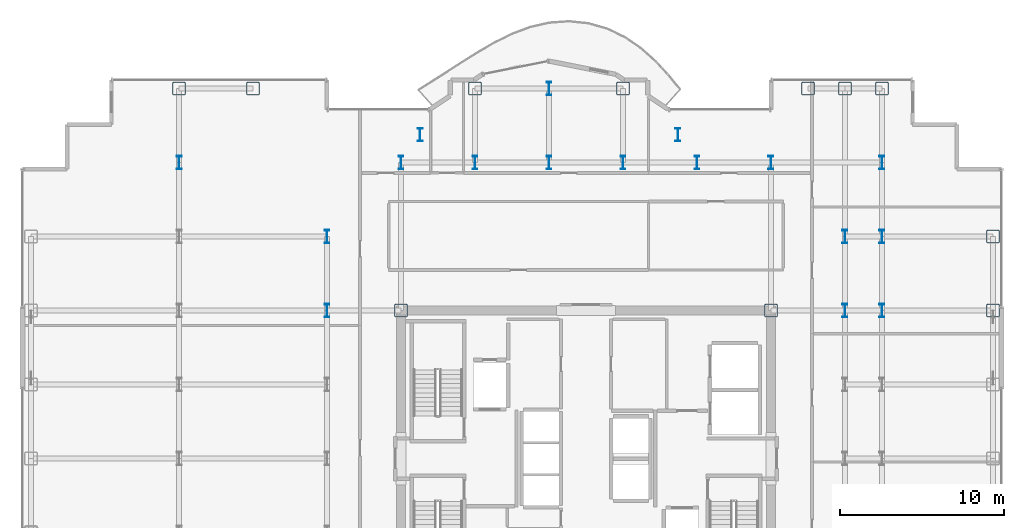
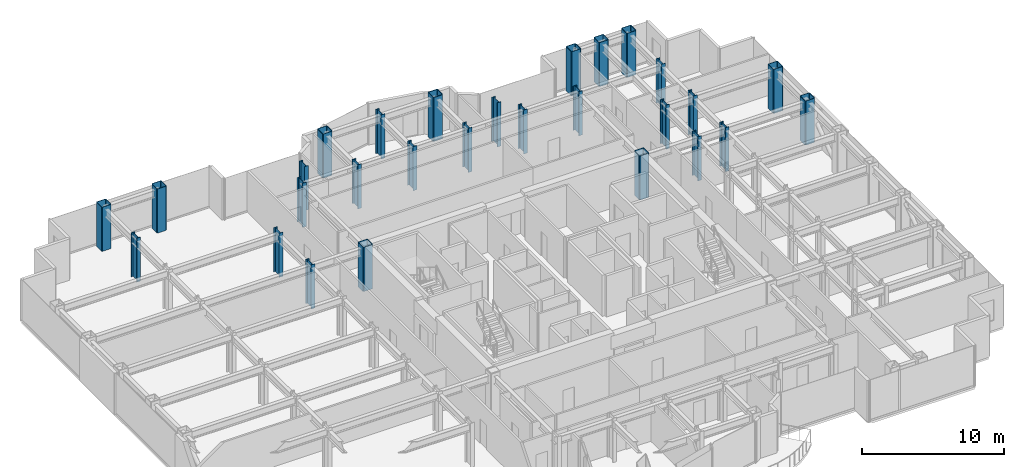
# One storey, part 2 of 25: 28 columns.
"""IFC4 building model written with IfcOpenShell, lengths in metres."""

import ifcopenshell
import ifcopenshell.guid

model = None  # the IFC model being written
_history = None  # IfcOwnerHistory: only IFC2X3 demands one
_inside = {}  # id of a spatial element -> (the spatial element, [elements in it])
_under = {}  # id of a project, library or spatial element -> (it, [spatial elements below it])
_declared = {}  # id of a project -> (the project, [libraries it declares])
_typed = {}  # id of a type object -> (the type object, [elements of that type])
_made_of = {}  # id of a material, layer set ... -> (it, [elements and type objects made of it])


def new_model(schema):
    """Start an empty IFC model of exactly this schema.

    Asked for "IFC4X3", IfcOpenShell would pick the latest addendum, in which some entities
    have other attributes; the version numbers below select the first issue.
    IFC2X3 requires an IfcOwnerHistory on every rooted entity: one is made here for all.
    """
    global model, _history
    if schema == "IFC4X3":
        model = ifcopenshell.file(schema_version=(4, 3, 0, 0))
    else:
        model = ifcopenshell.file(schema=schema)
    _inside.clear()
    _under.clear()
    _declared.clear()
    _typed.clear()
    _made_of.clear()
    _history = None
    if model.schema == "IFC2X3":
        org = make("IfcOrganization", Name="unknown")
        user = make(
            "IfcPersonAndOrganization",
            ThePerson=make("IfcPerson", FamilyName="unknown"),
            TheOrganization=org,
        )
        app = make(
            "IfcApplication",
            ApplicationDeveloper=org,
            Version="unknown",
            ApplicationFullName="unknown",
            ApplicationIdentifier="unknown",
        )
        _history = make(
            "IfcOwnerHistory",
            OwningUser=user,
            OwningApplication=app,
            ChangeAction="ADDED",
            CreationDate=0,
        )
    return model


def make(cls, **values):
    """One entity of the class cls with the attributes given. An attribute that is None is left unset."""
    return model.create_entity(
        cls, **{name: value for name, value in values.items() if value is not None}
    )


def rooted(cls, **values):
    """An entity with a GlobalId (a new one), such as an element, a storey or a relation."""
    return make(cls, GlobalId=ifcopenshell.guid.new(), OwnerHistory=_history, **values)


def si_unit(unit_type, name, prefix=None):
    """IfcSIUnit, for example si_unit("LENGTHUNIT", "METRE", prefix="MILLI")."""
    return make("IfcSIUnit", UnitType=unit_type, Prefix=prefix, Name=name)


def assignment(units):
    """IfcUnitAssignment: the units of a project."""
    return None if units is None else make("IfcUnitAssignment", Units=units)


def point(xyz):
    """IfcCartesianPoint."""
    return None if xyz is None else make("IfcCartesianPoint", Coordinates=xyz)


def direction(xyz):
    """IfcDirection."""
    return None if xyz is None else make("IfcDirection", DirectionRatios=xyz)


def frame(location, z_axis=None, x_axis=None):
    """IfcAxis2Placement3D, a coordinate frame: its origin and axes. An axis left out is left unset."""
    return make(
        "IfcAxis2Placement3D",
        Location=point(location),
        Axis=direction(z_axis),
        RefDirection=direction(x_axis),
    )


def frame_2d(location, x_axis=None):
    """IfcAxis2Placement2D, a coordinate frame in the plane: its origin and x axis."""
    return make(
        "IfcAxis2Placement2D", Location=point(location), RefDirection=direction(x_axis)
    )


def origin():
    """The frame at (0, 0, 0) with its axes left unset."""
    return frame((0.0, 0.0, 0.0))


def origin_2d():
    """The frame at (0, 0) in the plane with its x axis left unset."""
    return frame_2d((0.0, 0.0))


def place(relative_to, where):
    """IfcLocalPlacement: puts the frame where relative to a parent placement (None: the world)."""
    return make(
        "IfcLocalPlacement", PlacementRelTo=relative_to, RelativePlacement=where
    )


def context(
    kind, dimensions, precision=None, world=None, true_north=None, identifier=None
):
    """IfcGeometricRepresentationContext, for example the 3D "Model" context."""
    return make(
        "IfcGeometricRepresentationContext",
        ContextIdentifier=identifier,
        ContextType=kind,
        CoordinateSpaceDimension=dimensions,
        Precision=precision,
        WorldCoordinateSystem=world,
        TrueNorth=true_north,
    )


def subcontext(parent, identifier, kind, view, scale=None):
    """IfcGeometricRepresentationSubContext, for example "Body" below "Model"."""
    return make(
        "IfcGeometricRepresentationSubContext",
        ContextIdentifier=identifier,
        ContextType=kind,
        ParentContext=parent,
        TargetScale=scale,
        TargetView=view,
    )


def project(units=None, contexts=None):
    """IfcProject with its units and contexts."""
    return rooted(
        "IfcProject",
        Name="project",
        RepresentationContexts=contexts,
        UnitsInContext=assignment(units),
    )


def spatial(cls, under=None, at=None, **own):
    """A site, building, storey or space (cls), placed at a placement, below another one or the project."""
    s = rooted(cls, ObjectPlacement=at, **own)
    if under is not None:
        _under.setdefault(under.id(), (under, []))[1].append(s)
    return s


def profile(cls, at=None, kind="AREA", **sizes):
    """A parametric profile (cls). Its sizes go by their IFC names, for example OverallWidth=200.0."""
    return make(cls, ProfileType=kind, Position=at, **sizes)


def hollow_rectangle(**sizes):
    """IfcRectangleHollowProfileDef."""
    return profile("IfcRectangleHollowProfileDef", **sizes)


def i_section(**sizes):
    """IfcIShapeProfileDef."""
    return profile("IfcIShapeProfileDef", **sizes)


def extrude(swept, where, along, depth):
    """IfcExtrudedAreaSolid: the profile swept, set in the frame where, extruded along a direction by depth."""
    return make(
        "IfcExtrudedAreaSolid",
        SweptArea=swept,
        Position=where,
        ExtrudedDirection=direction(along),
        Depth=depth,
    )


def shape(context_of_items, identifier, shape_type, items):
    """IfcShapeRepresentation: the items that make up one representation, for example the "Body"."""
    return make(
        "IfcShapeRepresentation",
        ContextOfItems=context_of_items,
        RepresentationIdentifier=identifier,
        RepresentationType=shape_type,
        Items=items,
    )


def source(mapping_origin, context_of_items, identifier, shape_type, items):
    """IfcRepresentationMap: a shape defined once, which mapped items show again and again."""
    return make(
        "IfcRepresentationMap",
        MappingOrigin=mapping_origin,
        MappedRepresentation=shape(context_of_items, identifier, shape_type, items),
    )


def transform(
    local_origin,
    x_axis=None,
    y_axis=None,
    z_axis=None,
    scale=None,
    scale2=None,
    scale3=None,
    uniform=True,
):
    """IfcCartesianTransformationOperator3D, or its non-uniform kind. x_axis, y_axis, z_axis: its Axis1, 2, 3."""
    if uniform:
        return make(
            "IfcCartesianTransformationOperator3D",
            Axis1=direction(x_axis),
            Axis2=direction(y_axis),
            LocalOrigin=point(local_origin),
            Scale=scale,
            Axis3=direction(z_axis),
        )
    return make(
        "IfcCartesianTransformationOperator3DnonUniform",
        Axis1=direction(x_axis),
        Axis2=direction(y_axis),
        LocalOrigin=point(local_origin),
        Scale=scale,
        Axis3=direction(z_axis),
        Scale2=scale2,
        Scale3=scale3,
    )


def mapped(mapping_source, mapping_target):
    """IfcMappedItem: shows the shape of a source again, moved by a transform."""
    return make(
        "IfcMappedItem", MappingSource=mapping_source, MappingTarget=mapping_target
    )


def material(Name=None, Category=None):
    """IfcMaterial."""
    return make("IfcMaterial", Name=Name, Category=Category)


def material_profile(
    of_material, cross_section, Name=None, Category=None, Priority=None
):
    """IfcMaterialProfile: a cross section and its material."""
    return make(
        "IfcMaterialProfile",
        Name=Name,
        Material=of_material,
        Profile=cross_section,
        Priority=Priority,
        Category=Category,
    )


def profile_set(profiles, Name=None, composite=None):
    """IfcMaterialProfileSet."""
    return make(
        "IfcMaterialProfileSet",
        Name=Name,
        MaterialProfiles=profiles,
        CompositeProfile=composite,
    )


def made_of(thing, what):
    """Note that an element or type object is made of a material, layer set ...; save() writes the relation."""
    if what is not None:
        _made_of.setdefault(what.id(), (what, []))[1].append(thing)
    return thing


def type_object(cls, material=None, **own):
    """A type object (cls), such as IfcWallType, which elements share."""
    return made_of(rooted(cls, **own), material)


def element(
    cls,
    number,
    at=None,
    inside=None,
    cuts=None,
    type_object=None,
    material=None,
    context=None,
    identifier="Body",
    shape_type=None,
    held_by="IfcProductDefinitionShape",
    body=None,
    shapes=None,
    **own,
):
    """One element of the class cls, such as IfcWall. Its Tag is "e" and its number.

    at: its placement. inside: the storey or other place that contains it. cuts: it is an
    opening in that element (IfcRelVoidsElement). A single representation is given by context,
    identifier, shape_type and body (its items); several are given by shapes. held_by: the class
    of the entity that holds the representations. save() writes the other relations.
    """
    e = rooted(cls, Tag="e%d" % number, ObjectPlacement=at, **own)
    if body is not None:
        shapes = [shape(context, identifier, shape_type, body)]
    if shapes is not None:
        e.Representation = make(held_by, Representations=shapes)
    if inside is not None:
        _inside.setdefault(inside.id(), (inside, []))[1].append(e)
    if cuts is not None:
        rooted(
            "IfcRelVoidsElement", RelatingBuildingElement=cuts, RelatedOpeningElement=e
        )
    if type_object is not None:
        _typed.setdefault(type_object.id(), (type_object, []))[1].append(e)
    return made_of(e, material)


def aggregate(whole, parts):
    """IfcRelAggregates: a whole, such as a stair, and the parts it consists of."""
    return rooted("IfcRelAggregates", RelatingObject=whole, RelatedObjects=parts)


def save(model, path):
    """Write the relations noted so far, then the file.

    IfcRelAggregates (storeys below a building ...), IfcRelContainedInSpatialStructure (elements
    in a storey), IfcRelDefinesByType, IfcRelAssociatesMaterial and IfcRelDeclares: one each for
    every whole, place, type object, material and project.
    """
    for whole, parts in _under.values():
        aggregate(whole, parts)
    for where, things in _inside.values():
        rooted(
            "IfcRelContainedInSpatialStructure",
            RelatedElements=things,
            RelatingStructure=where,
        )
    for kind, things in _typed.values():
        rooted("IfcRelDefinesByType", RelatedObjects=things, RelatingType=kind)
    for what, things in _made_of.values():
        rooted("IfcRelAssociatesMaterial", RelatedObjects=things, RelatingMaterial=what)
    for by, libraries in _declared.values():
        rooted("IfcRelDeclares", RelatingContext=by, RelatedDefinitions=libraries)
    model.write(path)


model = new_model("IFC4")

# Units and contexts
model_context = context("Model", 3, precision=1e-05, world=origin(), true_north=direction((0.0, 1.0)))
body_context = subcontext(model_context, "Body", "Model", "MODEL_VIEW")
ifc_project = project(units=[si_unit("LENGTHUNIT", "METRE"), si_unit("AREAUNIT", "SQUARE_METRE"), si_unit("VOLUMEUNIT", "CUBIC_METRE"), si_unit("PLANEANGLEUNIT", "RADIAN"), si_unit("MASSUNIT", "GRAM", prefix="KILO")], contexts=[model_context])

# Site, building, storey
site_placement = place(None, origin())
site = spatial("IfcSite", under=ifc_project, at=site_placement, CompositionType="ELEMENT")
building_placement = place(site_placement, origin())
building = spatial("IfcBuilding", under=site, at=building_placement, Name="Nefas-Gora Pilgrimage Tower", CompositionType="ELEMENT")
storey_placement = place(building_placement, frame((0.0, 0.0, 194.39990234375)))
storey = spatial("IfcBuildingStorey", under=building, at=storey_placement, Name="L48", CompositionType="ELEMENT", Elevation=194.39990234375)

# Columns
ifc_material = material(Name="Steel S460", Category="steel")
ifc_material_profile_1 = material_profile(ifc_material, hollow_rectangle(XDim=0.800048828125, YDim=0.800048828125, WallThickness=0.0400390625, InnerFilletRadius=0.0400390625, OuterFilletRadius=0.080078125, at=origin_2d()), Name="BOX 800x800x40")
ifc_profile_set_1 = profile_set([ifc_material_profile_1], Name="Steel S460")
column_type_1 = type_object("IfcColumnType", Name="COL-TUBE-800", PredefinedType="COLUMN", material=ifc_profile_set_1)
shared_shape_1 = source(origin(), body_context, "Body", "SweptSolid", [
    extrude(hollow_rectangle(XDim=0.800048828125, YDim=0.800048828125, WallThickness=0.0400390625, InnerFilletRadius=0.0400390625, OuterFilletRadius=0.080078125, at=origin_2d()), origin(), (0.0, 0.0, 1.0), 3.800048828125),
])
for number, where, z_axis, x_axis, name in (
    (1, (-24.75, 22.5, 0.0), (0.0, 0.0, 1.0), (1.0, 0.0, 0.0), "L48 Tower Column C-Z2.18"),
    (2, (-20.25, 22.5, 0.0), (0.0, 0.0, 1.0), (1.0, 0.0, 0.0), "L48 Tower Column C-Z2.20"),
    (3, (-6.75, 22.5, 0.0), (0.0, 0.0, 1.0), (1.0, 0.0, 0.0), "L48 Tower Column C-Z2.37"),
    (4, (2.25, 22.5, 0.0), (0.0, 0.0, 1.0), (1.0, 0.0, 0.0), "L48 Tower Column C-Z2.45"),
    (5, (13.5, 22.5, 0.0), (0.0, 0.0, 1.0), (1.0, 0.0, 0.0), "L48 Tower Column C-Z2.55"),
    (6, (15.75, 22.5, 0.0), (0.0, 0.0, 1.0), (1.0, 0.0, 0.0), "L48 Tower Column C-Z2.64"),
    (7, (18.0, 22.5, 0.0), (0.0, 0.0, 1.0), (1.0, 0.0, 0.0), "L48 Tower Column C-Z2.73"),
    (8, (24.75, 9.0, 0.0), (0.0, 0.0, 1.0), (1.0, 0.0, 0.0), "L48 Tower Column C-Z2.79"),
    (9, (24.75, 13.5, 0.0), (0.0, 0.0, 1.0), (1.0, 0.0, 0.0), "L48 Tower Column C-Z2.80"),
):
    element("IfcColumn", number, at=place(storey_placement, frame(where, z_axis=z_axis, x_axis=x_axis)), inside=storey, type_object=column_type_1, Name=name, PredefinedType="COLUMN", context=body_context, shape_type="MappedRepresentation", body=[
        mapped(shared_shape_1, transform((0.0, 0.0, 0.0), x_axis=(1.0, 0.0, 0.0), y_axis=(0.0, 1.0, 0.0), z_axis=(0.0, 0.0, 1.0), scale=1.0)),
    ])
ifc_material_profile_2 = material_profile(ifc_material, i_section(OverallWidth=0.302978515625, OverallDepth=0.81396484375, WebThickness=0.02099609375, FlangeThickness=0.0400390625, FilletRadius=0.030029296875, at=origin_2d()), Name="HEM 800")
ifc_profile_set_2 = profile_set([ifc_material_profile_2], Name="Steel S460")
column_type_2 = type_object("IfcColumnType", Name="COL-WEB-HEM800", PredefinedType="COLUMN", material=ifc_profile_set_2)
shared_shape_2 = source(origin(), body_context, "Body", "SweptSolid", [
    extrude(i_section(OverallWidth=0.302978515625, OverallDepth=0.81396484375, WebThickness=0.02099609375, FlangeThickness=0.0400390625, FilletRadius=0.030029296875, at=origin_2d()), origin(), (0.0, 0.0, 1.0), 3.800048828125),
])
for number, where, z_axis, x_axis, name in (
    (10, (-24.75, 18.0, 0.0), (0.0, 0.0, 1.0), (1.0, 0.0, 0.0), "L48 Tower Column CW-02.17"),
    (11, (-15.75, 9.0, 0.0), (0.0, 0.0, 1.0), (1.0, 0.0, 0.0), "L48 Tower Column CW-02.26"),
    (12, (-15.75, 13.5, 0.0), (0.0, 0.0, 1.0), (1.0, 0.0, 0.0), "L48 Tower Column CW-02.27"),
    (13, (-11.25, 18.0, 0.0), (0.0, 0.0, 1.0), (1.0, 0.0, 0.0), "L48 Tower Column CW-02.31"),
    (14, (-10.091064453125, 19.696044921875, 0.0), (0.0, 0.0, 1.0), (1.0, 0.0, 0.0), "L48 Tower Column CW-02.33"),
    (15, (-6.75, 18.0, 0.0), (0.0, 0.0, 1.0), (1.0, 0.0, 0.0), "L48 Tower Column CW-02.36"),
    (16, (-2.25, 18.0, 0.0), (0.0, 0.0, 1.0), (1.0, 0.0, 0.0), "L48 Tower Column CW-02.40"),
    (17, (-2.25, 22.5, 0.0), (0.0, 0.0, 1.0), (1.0, 0.0, 0.0), "L48 Tower Column CW-02.41"),
    (18, (2.25, 18.0, 0.0), (0.0, 0.0, 1.0), (1.0, 0.0, 0.0), "L48 Tower Column CW-02.44"),
    (19, (5.591064453125, 19.696044921875, 0.0), (0.0, 0.0, 1.0), (1.0, 0.0, 0.0), "L48 Tower Column CW-02.47"),
    (20, (6.75, 18.0, 0.0), (0.0, 0.0, 1.0), (1.0, 0.0, 0.0), "L48 Tower Column CW-02.49"),
    (21, (11.25, 18.0, 0.0), (0.0, 0.0, 1.0), (1.0, 0.0, 0.0), "L48 Tower Column CW-02.53"),
    (22, (15.75, 9.0, 0.0), (0.0, 0.0, 1.0), (1.0, 0.0, 0.0), "L48 Tower Column CW-02.62"),
    (23, (15.75, 13.5, 0.0), (0.0, 0.0, 1.0), (1.0, 0.0, 0.0), "L48 Tower Column CW-02.63"),
    (24, (18.0, 9.0, 0.0), (0.0, 0.0, 1.0), (1.0, 0.0, 0.0), "L48 Tower Column CW-02.70"),
    (25, (18.0, 13.5, 0.0), (0.0, 0.0, 1.0), (1.0, 0.0, 0.0), "L48 Tower Column CW-02.71"),
    (26, (18.0, 18.0, 0.0), (0.0, 0.0, 1.0), (1.0, 0.0, 0.0), "L48 Tower Column CW-02.72"),
):
    element("IfcColumn", number, at=place(storey_placement, frame(where, z_axis=z_axis, x_axis=x_axis)), inside=storey, type_object=column_type_2, Name=name, PredefinedType="COLUMN", context=body_context, shape_type="MappedRepresentation", body=[
        mapped(shared_shape_2, transform((0.0, 0.0, 0.0), x_axis=(1.0, 0.0, 0.0), y_axis=(0.0, 1.0, 0.0), z_axis=(0.0, 0.0, 1.0), scale=1.0)),
    ])
ifc_material_profile_3 = material_profile(ifc_material, hollow_rectangle(XDim=0.800048828125, YDim=0.800048828125, WallThickness=0.0400390625, InnerFilletRadius=0.0400390625, OuterFilletRadius=0.080078125, at=origin_2d()), Name="BOX 800x800x40")
ifc_profile_set_3 = profile_set([ifc_material_profile_3], Name="Steel S460")
column_type_3 = type_object("IfcColumnType", Name="COL-CORE-800", PredefinedType="COLUMN", material=ifc_profile_set_3)
shared_shape_3 = source(origin(), body_context, "Body", "SweptSolid", [
    extrude(hollow_rectangle(XDim=0.800048828125, YDim=0.800048828125, WallThickness=0.0400390625, InnerFilletRadius=0.0400390625, OuterFilletRadius=0.080078125, at=origin_2d()), origin(), (0.0, 0.0, 1.0), 3.800048828125),
])
for number, where, z_axis, x_axis, name in (
    (27, (-11.25, 9.0, 0.0), (0.0, 0.0, 1.0), (1.0, 0.0, 0.0), "L48 Tower Column CC-Z2.30"),
    (28, (11.25, 9.0, 0.0), (0.0, 0.0, 1.0), (1.0, 0.0, 0.0), "L48 Tower Column CC-Z2.52"),
):
    element("IfcColumn", number, at=place(storey_placement, frame(where, z_axis=z_axis, x_axis=x_axis)), inside=storey, type_object=column_type_3, Name=name, PredefinedType="COLUMN", context=body_context, shape_type="MappedRepresentation", body=[
        mapped(shared_shape_3, transform((0.0, 0.0, 0.0), x_axis=(1.0, 0.0, 0.0), y_axis=(0.0, 1.0, 0.0), z_axis=(0.0, 0.0, 1.0), scale=1.0)),
    ])

save(model, "model.ifc")
